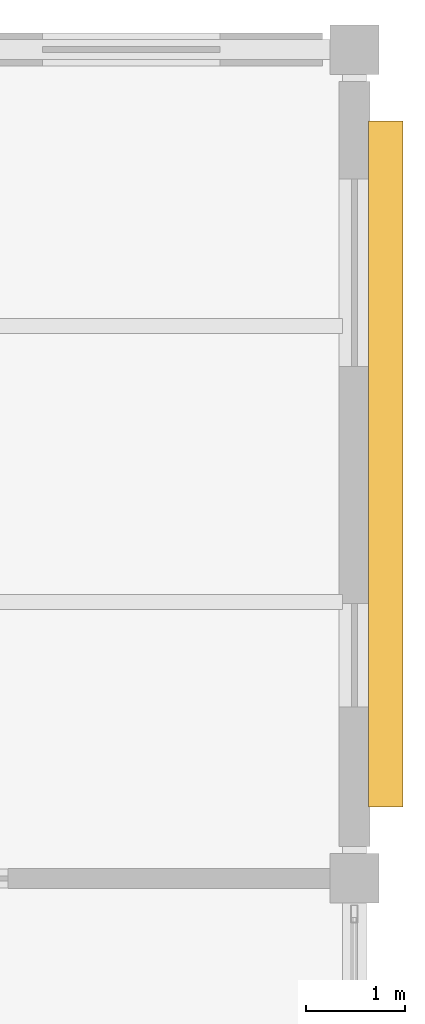
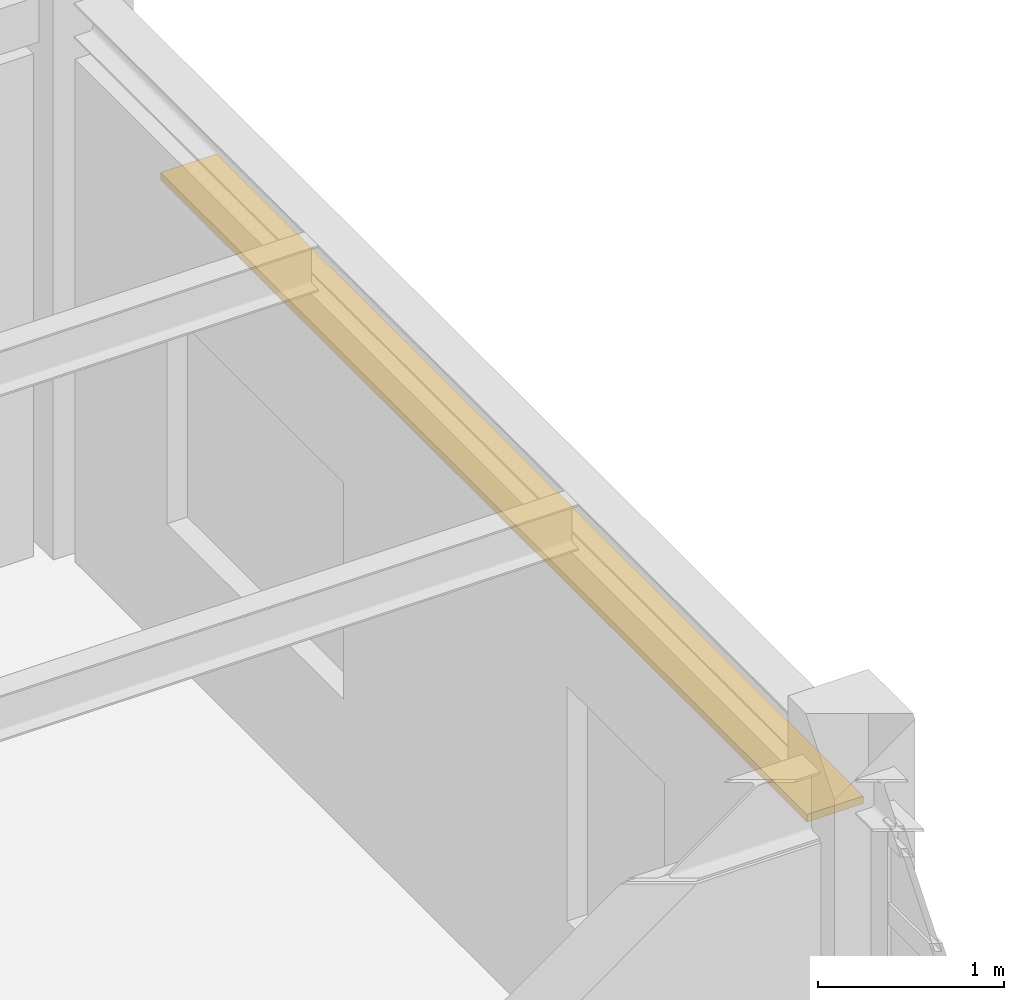
# One storey, part 86 of 86: 1 shading device.
"""IFC4 building model written with IfcOpenShell, lengths in metres."""

from ifc_helpers import new_model, si_unit, direction, frame, origin, origin_2d, place, context, subcontext, project, spatial, rectangle, extrude, material, material_profile, profile_set, type_object, element, save


model = new_model("IFC4")

# Units and contexts
model_context = context("Model", 3, precision=1e-05, world=origin(), true_north=direction((0.0, 1.0)))
body_context = subcontext(model_context, "Body", "Model", "MODEL_VIEW")
ifc_project = project(units=[si_unit("LENGTHUNIT", "METRE"), si_unit("AREAUNIT", "SQUARE_METRE"), si_unit("VOLUMEUNIT", "CUBIC_METRE"), si_unit("PLANEANGLEUNIT", "RADIAN"), si_unit("MASSUNIT", "GRAM", prefix="KILO")], contexts=[model_context])

# Site, building, storey
site_placement = place(None, origin())
site = spatial("IfcSite", under=ifc_project, at=site_placement, CompositionType="ELEMENT")
building_placement = place(site_placement, origin())
building = spatial("IfcBuilding", under=site, at=building_placement, Name="Bramfleet General Hospital", CompositionType="ELEMENT")
storey_placement = place(building_placement, frame((0.0, 0.0, 18.60009765625)))
storey = spatial("IfcBuildingStorey", under=building, at=storey_placement, Name="L04", CompositionType="ELEMENT", Elevation=18.60009765625)

# Shading device
ifc_material = material(Name="Anodised aluminium EN AW-6063", Category="aluminium")
ifc_material_profile = material_profile(ifc_material, rectangle(XDim=0.050048828125, YDim=0.35009765625, at=origin_2d()), Name="ALU LOUVRE 350x50")
ifc_profile_set = profile_set([ifc_material_profile], Name="Anodised aluminium EN AW-6063")
shading_device_type = type_object("IfcShadingDeviceType", Name="SHD-LVR-350", PredefinedType="USERDEFINED", material=ifc_profile_set)
shading_device_placement = place(storey_placement, frame((168.3173828125, 116.875, 2.669921875), z_axis=(0.0, -1.0, 0.0), x_axis=(0.0, 0.0, 1.0)))
element("IfcShadingDevice", 1, at=shading_device_placement, inside=storey, type_object=shading_device_type, Name="L04 Solar Shading Louvre 7", ObjectType="Louvre", PredefinedType="USERDEFINED", context=body_context, shape_type="SweptSolid", body=[
    extrude(rectangle(XDim=0.050048828125, YDim=0.35009765625, at=origin_2d()), origin(), (0.0, 0.0, 1.0), 6.949951171875),
])

save(model, "model.ifc")
